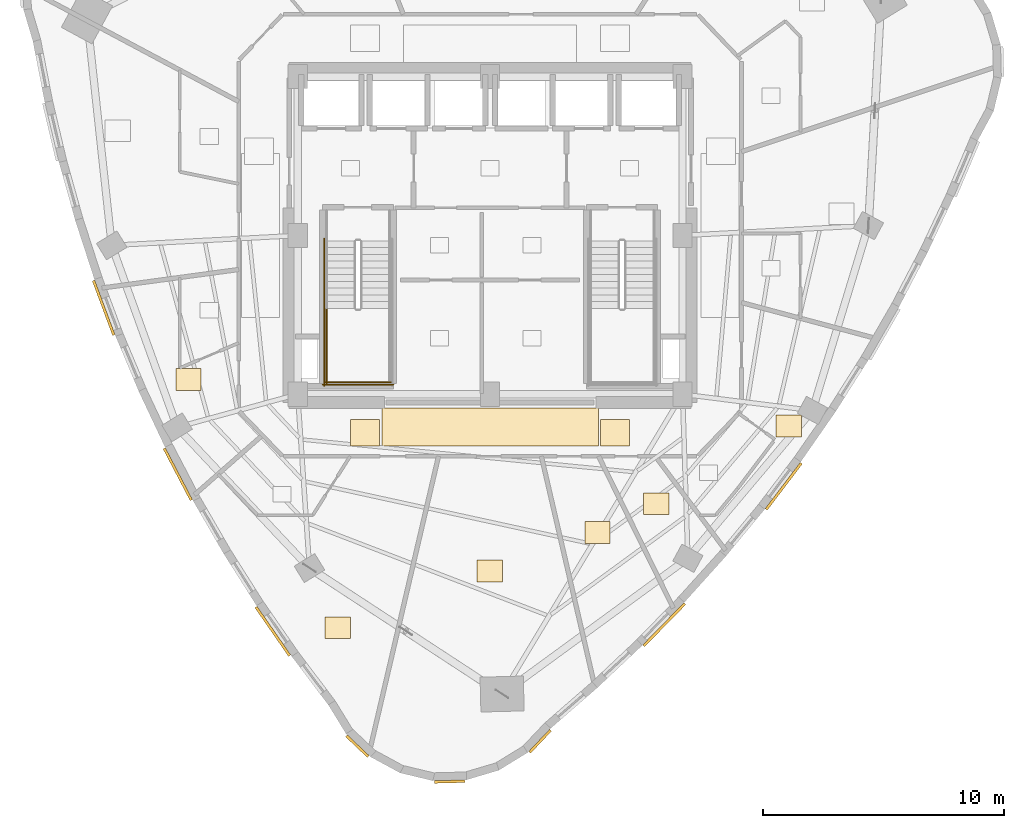
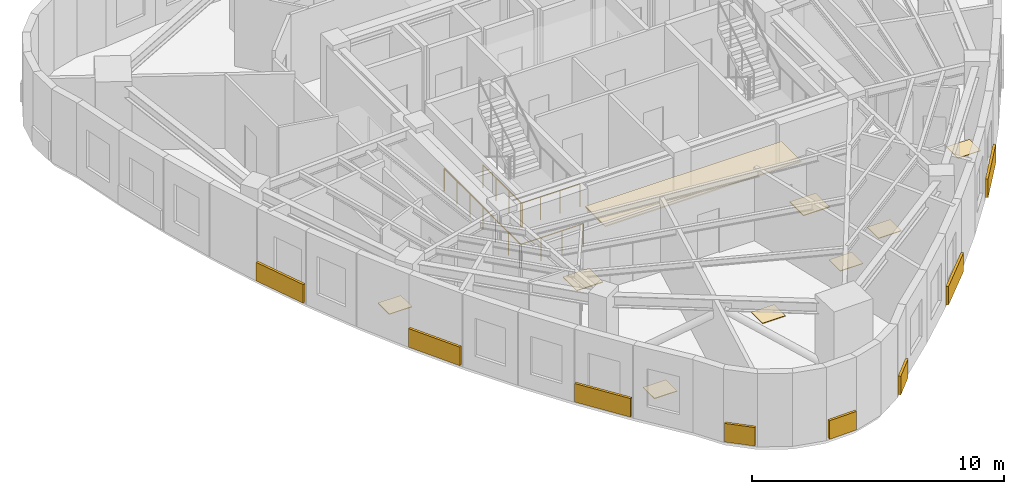
# One storey, part 10 of 12: 17 coverings, 4 railings.
"""IFC4 building model written with IfcOpenShell, lengths in metres."""

from ifc_helpers import new_model, si_unit, direction, frame, origin, origin_2d, place, context, subcontext, project, spatial, rectangle, circle, extrude, material, layer, layer_set, type_object, element, save


model = new_model("IFC4")

# Units and contexts
model_context = context("Model", 3, precision=1e-05, world=origin(), true_north=direction((0.0, 1.0)))
body_context = subcontext(model_context, "Body", "Model", "MODEL_VIEW")
ifc_project = project(units=[si_unit("LENGTHUNIT", "METRE"), si_unit("AREAUNIT", "SQUARE_METRE"), si_unit("VOLUMEUNIT", "CUBIC_METRE"), si_unit("PLANEANGLEUNIT", "RADIAN"), si_unit("MASSUNIT", "GRAM", prefix="KILO")], contexts=[model_context])

# Site, building, storey
site_placement = place(None, origin())
site = spatial("IfcSite", under=ifc_project, at=site_placement, CompositionType="ELEMENT")
building_placement = place(site_placement, origin())
building = spatial("IfcBuilding", under=site, at=building_placement, Name="Ndelora Gate Hotel", CompositionType="ELEMENT")
storey_placement = place(building_placement, frame((0.0, 0.0, 190.35009765625)))
storey = spatial("IfcBuildingStorey", under=building, at=storey_placement, Name="L47", CompositionType="ELEMENT", Elevation=190.35009765625)

# Coverings
ifc_material_1 = material(Name="Perforated Acoustic Gypsum Board", Category="gypsum")
ifc_layer_1 = layer(ifc_material_1, 0.054931640625)
ifc_layer_set_1 = layer_set([ifc_layer_1], Name="Perforated Acoustic Gypsum Board")
covering_type_1 = type_object("IfcCoveringType", Name="COV-CEIL-AC60", PredefinedType="CEILING", material=ifc_layer_set_1)
covering_1_placement = place(storey_placement, frame((0.0, -7.9599609375, 2.65234375), z_axis=(0.0, 0.0, 1.0), x_axis=(1.0, 0.0, 0.0)))
element("IfcCovering", 1, at=covering_1_placement, inside=storey, type_object=covering_type_1, Name="L47 Guest Corridor Acoustic Ceiling S", PredefinedType="CEILING", context=body_context, shape_type="SweptSolid", body=[
    extrude(rectangle(XDim=9.0, YDim=1.580078125, at=origin_2d()), origin(), (0.0, 0.0, 1.0), 0.054931640625),
])
ifc_material_2 = material(Name="Terracotta Fired Clay Brick Slip Cladding", Category="masonry")
ifc_layer_2 = layer(ifc_material_2, 0.110107421875)
ifc_layer_set_2 = layer_set([ifc_layer_2], Name="Terracotta Fired Clay Brick Slip Cladding")
covering_type_2 = type_object("IfcCoveringType", Name="COV-CLAD-BRK", PredefinedType="CLADDING", material=ifc_layer_set_2)
covering_2_placement = place(storey_placement, frame((-16.06591796875, -3.007568359375, 0.099853515625), z_axis=(0.0, 0.0, 1.0), x_axis=(-0.348572047322, 0.937281989492, 0.0)))
element("IfcCovering", 2, at=covering_2_placement, inside=storey, type_object=covering_type_2, Name="L47 Rounded-Corner Brick Cladding Band 13", PredefinedType="CLADDING", context=body_context, shape_type="SweptSolid", body=[
    extrude(rectangle(XDim=2.419921875, YDim=0.110107421875, at=origin_2d()), origin(), (0.0, 0.0, 1.0), 0.89990234375),
])
covering_3_placement = place(storey_placement, frame((-12.9853515625, -9.9267578125, 0.099853515625), z_axis=(0.0, 0.0, 1.0), x_axis=(-0.46329603512, 0.886203579231, 0.0)))
element("IfcCovering", 3, at=covering_3_placement, inside=storey, type_object=covering_type_2, Name="L47 Rounded-Corner Brick Cladding Band 16", PredefinedType="CLADDING", context=body_context, shape_type="SweptSolid", body=[
    extrude(rectangle(XDim=2.4208984375, YDim=0.110107421875, at=origin_2d()), origin(), (0.0, 0.0, 1.0), 0.89990234375),
])
covering_4_placement = place(storey_placement, frame((-9.033935546875, -16.457763671875, 0.099853515625), z_axis=(0.0, 0.0, 1.0), x_axis=(-0.569136023557, 0.822243386529, 0.0)))
element("IfcCovering", 4, at=covering_4_placement, inside=storey, type_object=covering_type_2, Name="L47 Rounded-Corner Brick Cladding Band 19", PredefinedType="CLADDING", context=body_context, shape_type="SweptSolid", body=[
    extrude(rectangle(XDim=2.4599609375, YDim=0.110107421875, at=origin_2d()), origin(), (0.0, 0.0, 1.0), 0.89990234375),
])
for number, where, z_axis, x_axis, name in (
    (5, (-5.52099609375, -21.23095703125, 0.099853515625), (0.0, 0.0, 1.0), (-0.725374371012, 0.688354575694, 0.0), "L47 Rounded-Corner Brick Cladding Band 22"),
    (6, (-1.68115234375, -22.705078125, 0.099853515625), (0.0, 0.0, 1.0), (0.999657324976, 0.026176948308, 0.0), "L47 Rounded-Corner Brick Cladding Band 25"),
    (7, (2.076416015625, -21.031982421875, 0.099853515625), (0.0, 0.0, 1.0), (0.688354575694, 0.725374371012, 0.0), "L47 Rounded-Corner Brick Cladding Band 28"),
):
    element("IfcCovering", number, at=place(storey_placement, frame(where, z_axis=z_axis, x_axis=x_axis)), inside=storey, type_object=covering_type_2, Name=name, PredefinedType="CLADDING", context=body_context, shape_type="SweptSolid", body=[
        extrude(rectangle(XDim=1.257080078125, YDim=0.110107421875, at=origin_2d()), origin(), (0.0, 0.0, 1.0), 0.89990234375),
    ])
covering_5_placement = place(storey_placement, frame((7.2412109375, -16.183349609375, 0.099853515625), z_axis=(0.0, 0.0, 1.0), x_axis=(0.699039579147, 0.715082978952, 0.0)))
element("IfcCovering", 8, at=covering_5_placement, inside=storey, type_object=covering_type_2, Name="L47 Rounded-Corner Brick Cladding Band 31", PredefinedType="CLADDING", context=body_context, shape_type="SweptSolid", body=[
    extrude(rectangle(XDim=2.443115234375, YDim=0.110107421875, at=origin_2d()), origin(), (0.0, 0.0, 1.0), 0.89990234375),
])
covering_6_placement = place(storey_placement, frame((12.207275390625, -10.429443359375, 0.099853515625), z_axis=(0.0, 0.0, 1.0), x_axis=(0.604599114862, 0.796529918024, 0.0)))
element("IfcCovering", 9, at=covering_6_placement, inside=storey, type_object=covering_type_2, Name="L47 Rounded-Corner Brick Cladding Band 34", PredefinedType="CLADDING", context=body_context, shape_type="SweptSolid", body=[
    extrude(rectangle(XDim=2.416015625, YDim=0.110107421875, at=origin_2d()), origin(), (0.0, 0.0, 1.0), 0.89990234375),
])
ifc_material_3 = material(Name="Engineered Highland Oak Parquet", Category="wood")
ifc_layer_3 = layer(ifc_material_3, 0.030029296875)
ifc_layer_set_3 = layer_set([ifc_layer_3], Name="Engineered Highland Oak Parquet")
covering_type_3 = type_object("IfcCoveringType", Name="COV-FLR-PARQ", PredefinedType="FLOORING", material=ifc_layer_set_3)
for number, where, z_axis, x_axis, name in (
    (10, (12.416015625, -7.918701171875, 0.0), (0.0, 0.0, 1.0), (1.0, 0.0, 0.0), "L47 Panoramic Horizon Suite 5001 Oak Parquet Flooring"),
    (11, (-12.540771484375, -5.9853515625, 0.0), (0.0, 0.0, 1.0), (1.0, 0.0, 0.0), "L47 Altitude Deluxe Guest Room 5006 Oak Parquet Flooring"),
    (12, (-6.3369140625, -16.310791015625, 0.0), (0.0, 0.0, 1.0), (1.0, 0.0, 0.0), "L47 Executive Sky Suite 5007 Oak Parquet Flooring"),
    (13, (-0.01025390625, -13.94775390625, 0.0), (0.0, 0.0, 1.0), (1.0, 0.0, 0.0), "L47 Butler Service Kitchen Oak Parquet Flooring"),
    (14, (4.468505859375, -12.349853515625, 0.0), (0.0, 0.0, 1.0), (1.0, 0.0, 0.0), "L47 Housekeeping and Linen Room Oak Parquet Flooring"),
    (15, (6.91162109375, -11.154296875, 0.0), (0.0, 0.0, 1.0), (1.0, 0.0, 0.0), "L47 Accessible WC Oak Parquet Flooring"),
):
    element("IfcCovering", number, at=place(storey_placement, frame(where, z_axis=z_axis, x_axis=x_axis)), inside=storey, type_object=covering_type_3, Name=name, PredefinedType="FLOORING", context=body_context, shape_type="SweptSolid", body=[
        extrude(rectangle(XDim=1.050048828125, YDim=0.89990234375, at=origin_2d()), origin(), (0.0, 0.0, 1.0), 0.030029296875),
    ])
ifc_material_4 = material(Name="Polished Highland Stone Terrazzo", Category="masonry")
ifc_layer_4 = layer(ifc_material_4, 0.034912109375)
ifc_layer_set_4 = layer_set([ifc_layer_4], Name="Polished Highland Stone Terrazzo")
covering_type_4 = type_object("IfcCoveringType", Name="COV-FLR-TERZ", PredefinedType="FLOORING", material=ifc_layer_set_4)
for number, where, z_axis, x_axis, name in (
    (16, (-5.199951171875, -8.199951171875, 0.0), (0.0, 0.0, 1.0), (1.0, 0.0, 0.0), "L47 Corridor Threshold Terrazzo Inlay SW"),
    (17, (5.199951171875, -8.199951171875, 0.0), (0.0, 0.0, 1.0), (1.0, 0.0, 0.0), "L47 Corridor Threshold Terrazzo Inlay SE"),
):
    element("IfcCovering", number, at=place(storey_placement, frame(where, z_axis=z_axis, x_axis=x_axis)), inside=storey, type_object=covering_type_4, Name=name, PredefinedType="FLOORING", context=body_context, shape_type="SweptSolid", body=[
        extrude(rectangle(XDim=1.199951171875, YDim=1.10009765625, at=origin_2d()), origin(), (0.0, 0.0, 1.0), 0.034912109375),
    ])

# Railings
ifc_material_5 = material(Name="Painted Galvanized Steel Balustrade", Category="steel")
ifc_layer_5 = layer(ifc_material_5, 0.06005859375)
ifc_layer_set_5 = layer_set([ifc_layer_5], Name="Painted Galvanized Steel Balustrade")
railing_type = type_object("IfcRailingType", Name="RL-STAIR-GD", PredefinedType="GUARDRAIL", material=ifc_layer_set_5)
railing_1_placement = place(storey_placement, frame((-6.800048828125, -3.030029296875, 1.89990234375)))
element("IfcRailing", 18, at=railing_1_placement, inside=storey, type_object=railing_type, Name="L47 ST4 stair guard 3", PredefinedType="GUARDRAIL", context=body_context, shape_type="SweptSolid", body=[
    extrude(circle(Radius=0.02392578125, at=origin_2d()), frame((0.0, 0.0, 1.10595703125), z_axis=(0.0, -1.0, 0.0), x_axis=(1.0, 0.0, 0.0)), (0.0, 0.0, 1.0), 3.119873046875),
    extrude(circle(Radius=0.02099609375, at=origin_2d()), origin(), (0.0, 0.0, 1.0), 1.081787109375),
    extrude(circle(Radius=0.02099609375, at=origin_2d()), frame((0.0, -1.0400390625, 0.0)), (0.0, 0.0, 1.0), 1.081787109375),
    extrude(circle(Radius=0.02099609375, at=origin_2d()), frame((0.0, -2.079833984375, 0.0)), (0.0, 0.0, 1.0), 1.081787109375),
    extrude(circle(Radius=0.02099609375, at=origin_2d()), frame((0.0, -3.119873046875, 0.0)), (0.0, 0.0, 1.0), 1.081787109375),
])
railing_2_placement = place(storey_placement, frame((-6.85009765625, -6.10009765625, 1.89990234375)))
element("IfcRailing", 19, at=railing_2_placement, inside=storey, type_object=railing_type, Name="L47 ST4 stair guard 5", PredefinedType="GUARDRAIL", context=body_context, shape_type="SweptSolid", body=[
    extrude(circle(Radius=0.02392578125, at=origin_2d()), frame((0.0, 0.0, 1.10595703125), z_axis=(1.0, 0.0, 0.0), x_axis=(0.0, 1.0, 0.0)), (0.0, 0.0, 1.0), 2.72021484375),
    extrude(circle(Radius=0.02099609375, at=origin_2d()), origin(), (0.0, 0.0, 1.0), 1.081787109375),
    extrude(circle(Radius=0.02099609375, at=origin_2d()), frame((0.90673828125, 0.0, 0.0)), (0.0, 0.0, 1.0), 1.081787109375),
    extrude(circle(Radius=0.02099609375, at=origin_2d()), frame((1.8134765625, 0.0, 0.0)), (0.0, 0.0, 1.0), 1.081787109375),
    extrude(circle(Radius=0.02099609375, at=origin_2d()), frame((2.72021484375, 0.0, 0.0)), (0.0, 0.0, 1.0), 1.081787109375),
])
railing_3_placement = place(storey_placement, frame((-6.89990234375, -0.1298828125, 0.0)))
element("IfcRailing", 20, at=railing_3_placement, inside=storey, type_object=railing_type, Name="L47 ST4 stair guard 10", PredefinedType="GUARDRAIL", context=body_context, shape_type="SweptSolid", body=[
    extrude(circle(Radius=0.02392578125, at=origin_2d()), frame((0.0, 0.0, 1.10595703125), z_axis=(0.0, -1.0, 0.0), x_axis=(1.0, 0.0, 0.0)), (0.0, 0.0, 1.0), 6.1201171875),
    extrude(circle(Radius=0.02099609375, at=origin_2d()), origin(), (0.0, 0.0, 1.0), 1.081787109375),
    extrude(circle(Radius=0.02099609375, at=origin_2d()), frame((0.0, -1.02001953125, 0.0)), (0.0, 0.0, 1.0), 1.081787109375),
    extrude(circle(Radius=0.02099609375, at=origin_2d()), frame((0.0, -2.0400390625, 0.0)), (0.0, 0.0, 1.0), 1.081787109375),
    extrude(circle(Radius=0.02099609375, at=origin_2d()), frame((0.0, -3.06005859375, 0.0)), (0.0, 0.0, 1.0), 1.081787109375),
    extrude(circle(Radius=0.02099609375, at=origin_2d()), frame((0.0, -4.080078125, 0.0)), (0.0, 0.0, 1.0), 1.081787109375),
    extrude(circle(Radius=0.02099609375, at=origin_2d()), frame((0.0, -5.10009765625, 0.0)), (0.0, 0.0, 1.0), 1.081787109375),
    extrude(circle(Radius=0.02099609375, at=origin_2d()), frame((0.0, -6.1201171875, 0.0)), (0.0, 0.0, 1.0), 1.081787109375),
])
railing_4_placement = place(storey_placement, frame((-6.949951171875, -6.199951171875, 0.0)))
element("IfcRailing", 21, at=railing_4_placement, inside=storey, type_object=railing_type, Name="L47 ST4 stair guard 12", PredefinedType="GUARDRAIL", context=body_context, shape_type="SweptSolid", body=[
    extrude(circle(Radius=0.02392578125, at=origin_2d()), frame((0.0, 0.0, 1.10595703125), z_axis=(1.0, 0.0, 0.0), x_axis=(0.0, 1.0, 0.0)), (0.0, 0.0, 1.0), 2.919921875),
    extrude(circle(Radius=0.02099609375, at=origin_2d()), origin(), (0.0, 0.0, 1.0), 1.081787109375),
    extrude(circle(Radius=0.02099609375, at=origin_2d()), frame((0.973388671875, 0.0, 0.0)), (0.0, 0.0, 1.0), 1.081787109375),
    extrude(circle(Radius=0.02099609375, at=origin_2d()), frame((1.946533203125, 0.0, 0.0)), (0.0, 0.0, 1.0), 1.081787109375),
    extrude(circle(Radius=0.02099609375, at=origin_2d()), frame((2.919921875, 0.0, 0.0)), (0.0, 0.0, 1.0), 1.081787109375),
])

save(model, "model.ifc")
